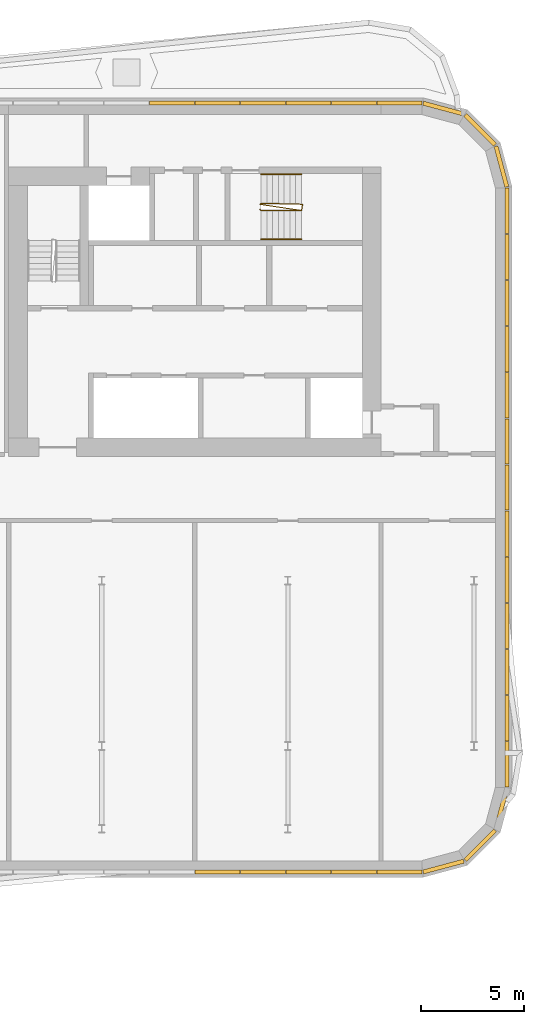
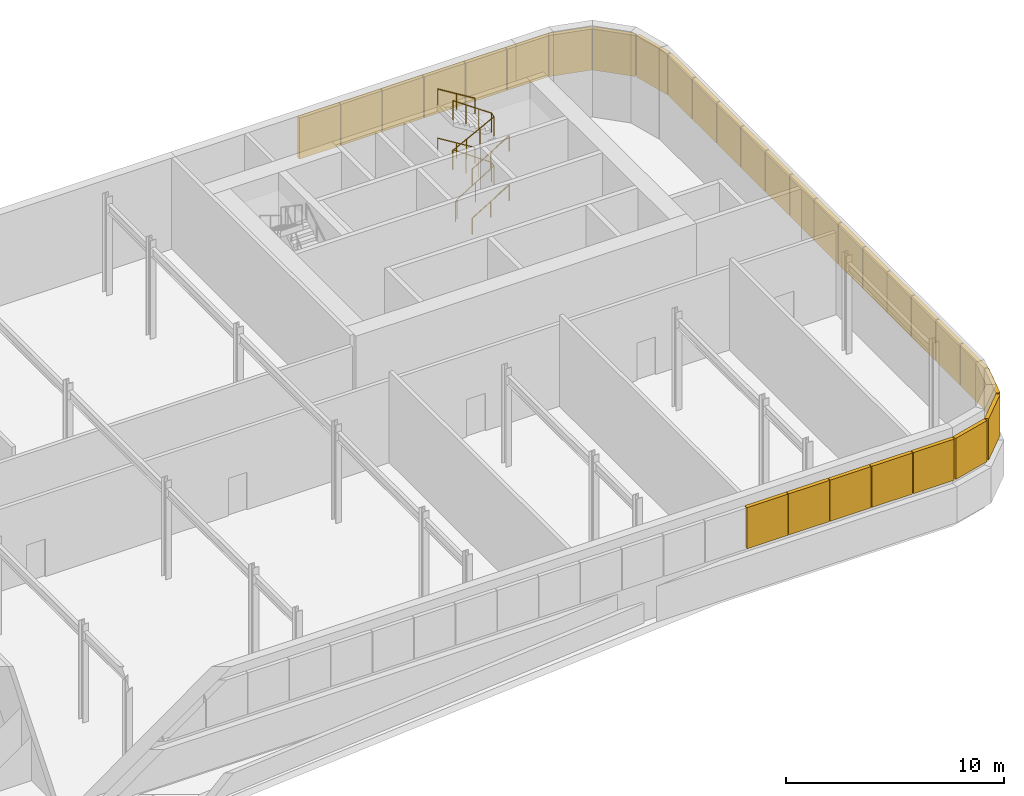
# One storey, part 15 of 16: 30 shading devices, 5 railings.
"""IFC4 building model written with IfcOpenShell, lengths in metres."""

from ifc_helpers import new_model, si_unit, direction, frame, origin, origin_2d, place, context, subcontext, project, spatial, rectangle, circle, extrude, material, type_object, element, save


model = new_model("IFC4")

# Units and contexts
model_context = context("Model", 3, precision=1e-05, world=origin(), true_north=direction((0.0, 1.0)))
body_context = subcontext(model_context, "Body", "Model", "MODEL_VIEW")
ifc_project = project(units=[si_unit("LENGTHUNIT", "METRE"), si_unit("AREAUNIT", "SQUARE_METRE"), si_unit("VOLUMEUNIT", "CUBIC_METRE"), si_unit("PLANEANGLEUNIT", "RADIAN"), si_unit("MASSUNIT", "GRAM", prefix="KILO")], contexts=[model_context])

# Site, building, storey
site_placement = place(None, origin())
site = spatial("IfcSite", under=ifc_project, at=site_placement, CompositionType="ELEMENT")
building_placement = place(site_placement, origin())
building = spatial("IfcBuilding", under=site, at=building_placement, Name="Kajstack Hotel Tower", CompositionType="ELEMENT")
storey_placement = place(building_placement, frame((0.0, 0.0, 308.10009765625)))
storey = spatial("IfcBuildingStorey", under=building, at=storey_placement, Name="L78", CompositionType="ELEMENT", Elevation=308.10009765625)

# Railings
ifc_material = material(Name="Steel S355J2", Category="steel")
railing_type_1 = type_object("IfcRailingType", Name="Stair guard 1100", PredefinedType="GUARDRAIL", material=ifc_material)
railing_1_placement = place(storey_placement, frame((25.64990234375, 13.449951171875, 0.0)))
element("IfcRailing", 1, at=railing_1_placement, inside=storey, type_object=railing_type_1, Name="L78 E3 stair guard 1", PredefinedType="GUARDRAIL", context=body_context, shape_type="SweptSolid", body=[
    extrude(circle(Radius=0.02392578125, at=origin_2d()), frame((0.0, 0.0, 1.076171875), z_axis=(0.269255725606, -0.269255725606, 0.92466356501), x_axis=(0.707106781187, 0.707106781187, 0.0)), (0.0, 0.0, 1.0), 0.185791015625),
    extrude(circle(Radius=0.02392578125, at=origin_2d()), frame((0.050048828125, -0.050048828125, 1.248046875), z_axis=(0.852240978134, 0.0, 0.523149419562), x_axis=(0.0, 1.0, 0.0)), (0.0, 0.0, 1.0), 2.2998046875),
    extrude(circle(Radius=0.02392578125, at=origin_2d()), frame((2.010009765625, -0.050048828125, 2.451171875), z_axis=(0.164529134168, 0.986372223864, 0.0), x_axis=(-0.986372223864, 0.164529134168, 0.0)), (0.0, 0.0, 1.0), 0.30419921875),
    extrude(circle(Radius=0.02392578125, at=origin_2d()), frame((2.06005859375, 0.25, 2.451171875), z_axis=(-0.825184654201, 0.0205469275, 0.564489247232), x_axis=(-0.024892078169, -0.999690144217, 0.0)), (0.0, 0.0, 1.0), 2.435791015625),
    extrude(circle(Radius=0.02392578125, at=origin_2d()), frame((0.050048828125, 0.300048828125, 3.826171875), z_axis=(-0.707106781187, -0.707106781187, 0.0), x_axis=(0.707106781187, -0.707106781187, 0.0)), (0.0, 0.0, 1.0), 0.07080078125),
    extrude(circle(Radius=0.02392578125, at=origin_2d()), frame((0.0, 0.25, 3.826171875), z_axis=(0.819164832413, -0.122282713353, 0.560371229947), x_axis=(0.147641363338, 0.989040963677, 0.0)), (0.0, 0.0, 1.0), 2.45361328125),
    extrude(circle(Radius=0.02392578125, at=origin_2d()), frame((2.010009765625, -0.050048828125, 5.201171875), z_axis=(0.164529134168, 0.986372223864, 0.0), x_axis=(-0.986372223864, 0.164529134168, 0.0)), (0.0, 0.0, 1.0), 0.30419921875),
    extrude(circle(Radius=0.02392578125, at=origin_2d()), frame((2.06005859375, 0.25, 5.201171875), z_axis=(-0.825184654201, 0.0205469275, 0.564489247232), x_axis=(-0.024892078169, -0.999690144217, 0.0)), (0.0, 0.0, 1.0), 2.435791015625),
    extrude(circle(Radius=0.02099609375, at=origin_2d()), origin(), (0.0, 0.0, 1.0), 1.052001953125),
    extrude(circle(Radius=0.02099609375, at=origin_2d()), frame((0.050048828125, -0.050048828125, 0.171875)), (0.0, 0.0, 1.0), 1.052001953125),
    extrude(circle(Radius=0.02099609375, at=origin_2d()), frame((1.030029296875, -0.050048828125, 0.7734375)), (0.0, 0.0, 1.0), 1.052001953125),
    extrude(circle(Radius=0.02099609375, at=origin_2d()), frame((2.010009765625, -0.050048828125, 1.375)), (0.0, 0.0, 1.0), 1.052001953125),
    extrude(circle(Radius=0.02099609375, at=origin_2d()), frame((2.06005859375, 0.25, 1.375)), (0.0, 0.0, 1.0), 1.052001953125),
    extrude(circle(Radius=0.02099609375, at=origin_2d()), frame((1.39013671875, 0.2666015625, 1.833251953125)), (0.0, 0.0, 1.0), 1.052001953125),
    extrude(circle(Radius=0.02099609375, at=origin_2d()), frame((0.719970703125, 0.283447265625, 2.291748046875)), (0.0, 0.0, 1.0), 1.052001953125),
    extrude(circle(Radius=0.02099609375, at=origin_2d()), frame((0.050048828125, 0.300048828125, 2.75)), (0.0, 0.0, 1.0), 1.052001953125),
    extrude(circle(Radius=0.02099609375, at=origin_2d()), frame((0.0, 0.25, 2.75)), (0.0, 0.0, 1.0), 1.052001953125),
    extrude(circle(Radius=0.02099609375, at=origin_2d()), frame((0.669921875, 0.14990234375, 3.208251953125)), (0.0, 0.0, 1.0), 1.052001953125),
    extrude(circle(Radius=0.02099609375, at=origin_2d()), frame((1.340087890625, 0.050048828125, 3.666748046875)), (0.0, 0.0, 1.0), 1.052001953125),
    extrude(circle(Radius=0.02099609375, at=origin_2d()), frame((2.010009765625, -0.050048828125, 4.125)), (0.0, 0.0, 1.0), 1.052001953125),
    extrude(circle(Radius=0.02099609375, at=origin_2d()), frame((2.06005859375, 0.25, 4.125)), (0.0, 0.0, 1.0), 1.052001953125),
    extrude(circle(Radius=0.02099609375, at=origin_2d()), frame((1.39013671875, 0.2666015625, 4.583251953125)), (0.0, 0.0, 1.0), 1.052001953125),
    extrude(circle(Radius=0.02099609375, at=origin_2d()), frame((0.719970703125, 0.283447265625, 5.041748046875)), (0.0, 0.0, 1.0), 1.052001953125),
    extrude(circle(Radius=0.02099609375, at=origin_2d()), frame((0.050048828125, 0.300048828125, 5.5)), (0.0, 0.0, 1.0), 1.052001953125),
])
railing_type_2 = type_object("IfcRailingType", Name="Stair handrail 900", PredefinedType="HANDRAIL", material=ifc_material)
railing_2_placement = place(storey_placement, frame((25.699951171875, 12.0, 0.171875)))
element("IfcRailing", 2, at=railing_2_placement, inside=storey, type_object=railing_type_2, Name="L78 E3 stair handrail 1", PredefinedType="HANDRAIL", context=body_context, shape_type="SweptSolid", body=[
    extrude(circle(Radius=0.02392578125, at=origin_2d()), frame((0.0, 0.0, 0.8759765625), z_axis=(0.852240978134, 0.0, 0.523149419562), x_axis=(0.0, 1.0, 0.0)), (0.0, 0.0, 1.0), 2.2998046875),
    extrude(circle(Radius=0.02099609375, at=origin_2d()), origin(), (0.0, 0.0, 1.0), 0.851806640625),
    extrude(circle(Radius=0.02099609375, at=origin_2d()), frame((0.97998046875, 0.0, 0.6015625)), (0.0, 0.0, 1.0), 0.851806640625),
    extrude(circle(Radius=0.02099609375, at=origin_2d()), frame((1.9599609375, 0.0, 1.203125)), (0.0, 0.0, 1.0), 0.851806640625),
])
railing_3_placement = place(storey_placement, frame((27.659912109375, 15.14990234375, 1.546875)))
element("IfcRailing", 3, at=railing_3_placement, inside=storey, type_object=railing_type_2, Name="L78 E3 stair handrail 2", PredefinedType="HANDRAIL", context=body_context, shape_type="SweptSolid", body=[
    extrude(circle(Radius=0.02392578125, at=origin_2d()), frame((0.0, 0.0, 0.8759765625), z_axis=(-0.852240978134, 0.0, 0.523149419562), x_axis=(0.0, -1.0, 0.0)), (0.0, 0.0, 1.0), 2.2998046875),
    extrude(circle(Radius=0.02099609375, at=origin_2d()), origin(), (0.0, 0.0, 1.0), 0.851806640625),
    extrude(circle(Radius=0.02099609375, at=origin_2d()), frame((-0.97998046875, 0.0, 0.6015625)), (0.0, 0.0, 1.0), 0.851806640625),
    extrude(circle(Radius=0.02099609375, at=origin_2d()), frame((-1.9599609375, 0.0, 1.203125)), (0.0, 0.0, 1.0), 0.851806640625),
])
railing_4_placement = place(storey_placement, frame((25.699951171875, 12.0, 2.921875)))
element("IfcRailing", 4, at=railing_4_placement, inside=storey, type_object=railing_type_2, Name="L78 E3 stair handrail 3", PredefinedType="HANDRAIL", context=body_context, shape_type="SweptSolid", body=[
    extrude(circle(Radius=0.02392578125, at=origin_2d()), frame((0.0, 0.0, 0.8759765625), z_axis=(0.852240978134, 0.0, 0.523149419562), x_axis=(0.0, 1.0, 0.0)), (0.0, 0.0, 1.0), 2.2998046875),
    extrude(circle(Radius=0.02099609375, at=origin_2d()), origin(), (0.0, 0.0, 1.0), 0.851806640625),
    extrude(circle(Radius=0.02099609375, at=origin_2d()), frame((0.97998046875, 0.0, 0.6015625)), (0.0, 0.0, 1.0), 0.851806640625),
    extrude(circle(Radius=0.02099609375, at=origin_2d()), frame((1.9599609375, 0.0, 1.203125)), (0.0, 0.0, 1.0), 0.851806640625),
])
railing_5_placement = place(storey_placement, frame((27.659912109375, 15.14990234375, 4.296875)))
element("IfcRailing", 5, at=railing_5_placement, inside=storey, type_object=railing_type_2, Name="L78 E3 stair handrail 4", PredefinedType="HANDRAIL", context=body_context, shape_type="SweptSolid", body=[
    extrude(circle(Radius=0.02392578125, at=origin_2d()), frame((0.0, 0.0, 0.8759765625), z_axis=(-0.852240978134, 0.0, 0.523149419562), x_axis=(0.0, -1.0, 0.0)), (0.0, 0.0, 1.0), 2.2998046875),
    extrude(circle(Radius=0.02099609375, at=origin_2d()), origin(), (0.0, 0.0, 1.0), 0.851806640625),
    extrude(circle(Radius=0.02099609375, at=origin_2d()), frame((-0.97998046875, 0.0, 0.6015625)), (0.0, 0.0, 1.0), 0.851806640625),
    extrude(circle(Radius=0.02099609375, at=origin_2d()), frame((-1.9599609375, 0.0, 1.203125)), (0.0, 0.0, 1.0), 0.851806640625),
])

# Shading devices
for number, where, z_axis, x_axis, name in (
    (6, (23.60009765625, -18.60009765625, 2.2998046875), (0.0, 0.0, 1.0), (1.0, 0.0, 0.0), "Louvre L78-03-26"),
    (7, (25.800048828125, -18.60009765625, 2.2998046875), (0.0, 0.0, 1.0), (1.0, 0.0, 0.0), "Louvre L78-03-27"),
    (8, (28.0, -18.60009765625, 2.2998046875), (0.0, 0.0, 1.0), (1.0, 0.0, 0.0), "Louvre L78-03-28"),
    (9, (30.199951171875, -18.60009765625, 2.2998046875), (0.0, 0.0, 1.0), (1.0, 0.0, 0.0), "Louvre L78-03-29"),
    (10, (32.39990234375, -18.60009765625, 2.2998046875), (0.0, 0.0, 1.0), (1.0, 0.0, 0.0), "Louvre L78-03-30"),
):
    element("IfcShadingDevice", number, at=place(storey_placement, frame(where, z_axis=z_axis, x_axis=x_axis)), inside=storey, Name=name, ObjectType="LOUVRE", PredefinedType="USERDEFINED", context=body_context, shape_type="SweptSolid", body=[
        extrude(rectangle(XDim=2.159912109375, YDim=0.199951171875, at=origin_2d()), origin(), (0.0, 0.0, 1.0), 2.300048828125),
    ])
for number, where, z_axis, x_axis, name in (
    (11, (34.52587890625, -18.32861328125, 2.2998046875), (0.0, 0.0, 1.0), (0.965925632047, 0.258819770022, 0.0), "Louvre L78-04-01"),
    (12, (36.302734375, -17.302734375, 2.2998046875), (0.0, 0.0, 1.0), (0.707106781187, 0.707106781187, 0.0), "Louvre L78-05-01"),
    (13, (37.32861328125, -15.52587890625, 2.2998046875), (0.0, 0.0, 1.0), (0.258819770022, 0.965925632047, 0.0), "Louvre L78-06-01"),
):
    element("IfcShadingDevice", number, at=place(storey_placement, frame(where, z_axis=z_axis, x_axis=x_axis)), inside=storey, Name=name, ObjectType="LOUVRE", PredefinedType="USERDEFINED", context=body_context, shape_type="SweptSolid", body=[
        extrude(rectangle(XDim=2.030517578125, YDim=0.199951171875, at=origin_2d()), origin(), (0.0, 0.0, 1.0), 2.300048828125),
    ])
for number, where, z_axis, x_axis, name in (
    (14, (37.60009765625, -13.384521484375, 2.2998046875), (0.0, 0.0, 1.0), (0.0, 1.0, 0.0), "Louvre L78-07-01"),
    (15, (37.60009765625, -11.15380859375, 2.2998046875), (0.0, 0.0, 1.0), (0.0, 1.0, 0.0), "Louvre L78-07-02"),
    (16, (37.60009765625, -8.923095703125, 2.2998046875), (0.0, 0.0, 1.0), (0.0, 1.0, 0.0), "Louvre L78-07-03"),
    (17, (37.60009765625, -6.6923828125, 2.2998046875), (0.0, 0.0, 1.0), (0.0, 1.0, 0.0), "Louvre L78-07-04"),
    (18, (37.60009765625, -4.46142578125, 2.2998046875), (0.0, 0.0, 1.0), (0.0, 1.0, 0.0), "Louvre L78-07-05"),
    (19, (37.60009765625, -2.230712890625, 2.2998046875), (0.0, 0.0, 1.0), (0.0, 1.0, 0.0), "Louvre L78-07-06"),
    (20, (37.60009765625, 0.0, 2.2998046875), (0.0, 0.0, 1.0), (0.0, 1.0, 0.0), "Louvre L78-07-07"),
    (21, (37.60009765625, 2.230712890625, 2.2998046875), (0.0, 0.0, 1.0), (0.0, 1.0, 0.0), "Louvre L78-07-08"),
    (22, (37.60009765625, 4.46142578125, 2.2998046875), (0.0, 0.0, 1.0), (0.0, 1.0, 0.0), "Louvre L78-07-09"),
    (23, (37.60009765625, 6.6923828125, 2.2998046875), (0.0, 0.0, 1.0), (0.0, 1.0, 0.0), "Louvre L78-07-10"),
    (24, (37.60009765625, 8.923095703125, 2.2998046875), (0.0, 0.0, 1.0), (0.0, 1.0, 0.0), "Louvre L78-07-11"),
    (25, (37.60009765625, 11.15380859375, 2.2998046875), (0.0, 0.0, 1.0), (0.0, 1.0, 0.0), "Louvre L78-07-12"),
    (26, (37.60009765625, 13.384521484375, 2.2998046875), (0.0, 0.0, 1.0), (0.0, 1.0, 0.0), "Louvre L78-07-13"),
):
    element("IfcShadingDevice", number, at=place(storey_placement, frame(where, z_axis=z_axis, x_axis=x_axis)), inside=storey, Name=name, ObjectType="LOUVRE", PredefinedType="USERDEFINED", context=body_context, shape_type="SweptSolid", body=[
        extrude(rectangle(XDim=2.190673828125, YDim=0.199951171875, at=origin_2d()), origin(), (0.0, 0.0, 1.0), 2.300048828125),
    ])
for number, where, z_axis, x_axis, name in (
    (27, (37.32861328125, 15.52587890625, 2.2998046875), (0.0, 0.0, 1.0), (-0.258819770022, 0.965925632047, 0.0), "Louvre L78-08-01"),
    (28, (36.302734375, 17.302734375, 2.2998046875), (0.0, 0.0, 1.0), (-0.707106781187, 0.707106781187, 0.0), "Louvre L78-09-01"),
    (29, (34.52587890625, 18.32861328125, 2.2998046875), (0.0, 0.0, 1.0), (-0.965925632047, 0.258819770022, 0.0), "Louvre L78-10-01"),
):
    element("IfcShadingDevice", number, at=place(storey_placement, frame(where, z_axis=z_axis, x_axis=x_axis)), inside=storey, Name=name, ObjectType="LOUVRE", PredefinedType="USERDEFINED", context=body_context, shape_type="SweptSolid", body=[
        extrude(rectangle(XDim=2.030517578125, YDim=0.199951171875, at=origin_2d()), origin(), (0.0, 0.0, 1.0), 2.300048828125),
    ])
for number, where, z_axis, x_axis, name in (
    (30, (32.39990234375, 18.60009765625, 2.2998046875), (0.0, 0.0, 1.0), (-1.0, 0.0, 0.0), "Louvre L78-11-01"),
    (31, (30.199951171875, 18.60009765625, 2.2998046875), (0.0, 0.0, 1.0), (-1.0, 0.0, 0.0), "Louvre L78-11-02"),
    (32, (28.0, 18.60009765625, 2.2998046875), (0.0, 0.0, 1.0), (-1.0, 0.0, 0.0), "Louvre L78-11-03"),
    (33, (25.800048828125, 18.60009765625, 2.2998046875), (0.0, 0.0, 1.0), (-1.0, 0.0, 0.0), "Louvre L78-11-04"),
    (34, (23.60009765625, 18.60009765625, 2.2998046875), (0.0, 0.0, 1.0), (-1.0, 0.0, 0.0), "Louvre L78-11-05"),
    (35, (21.39990234375, 18.60009765625, 2.2998046875), (0.0, 0.0, 1.0), (-1.0, 0.0, 0.0), "Louvre L78-11-06"),
):
    element("IfcShadingDevice", number, at=place(storey_placement, frame(where, z_axis=z_axis, x_axis=x_axis)), inside=storey, Name=name, ObjectType="LOUVRE", PredefinedType="USERDEFINED", context=body_context, shape_type="SweptSolid", body=[
        extrude(rectangle(XDim=2.159912109375, YDim=0.199951171875, at=origin_2d()), origin(), (0.0, 0.0, 1.0), 2.300048828125),
    ])

save(model, "model.ifc")
